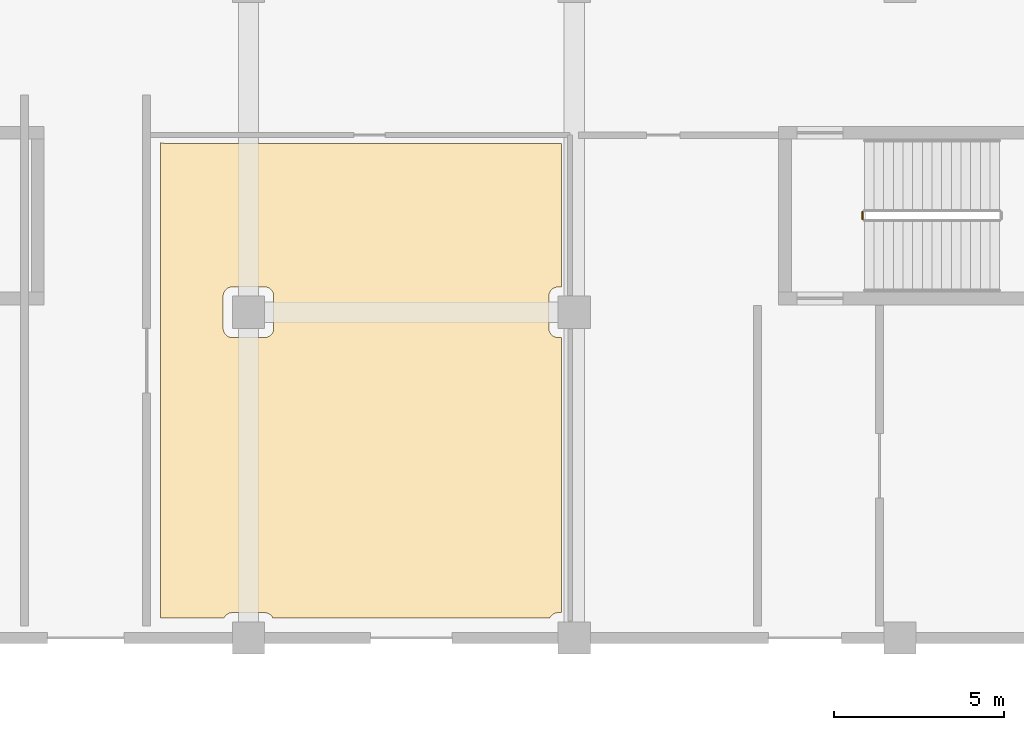
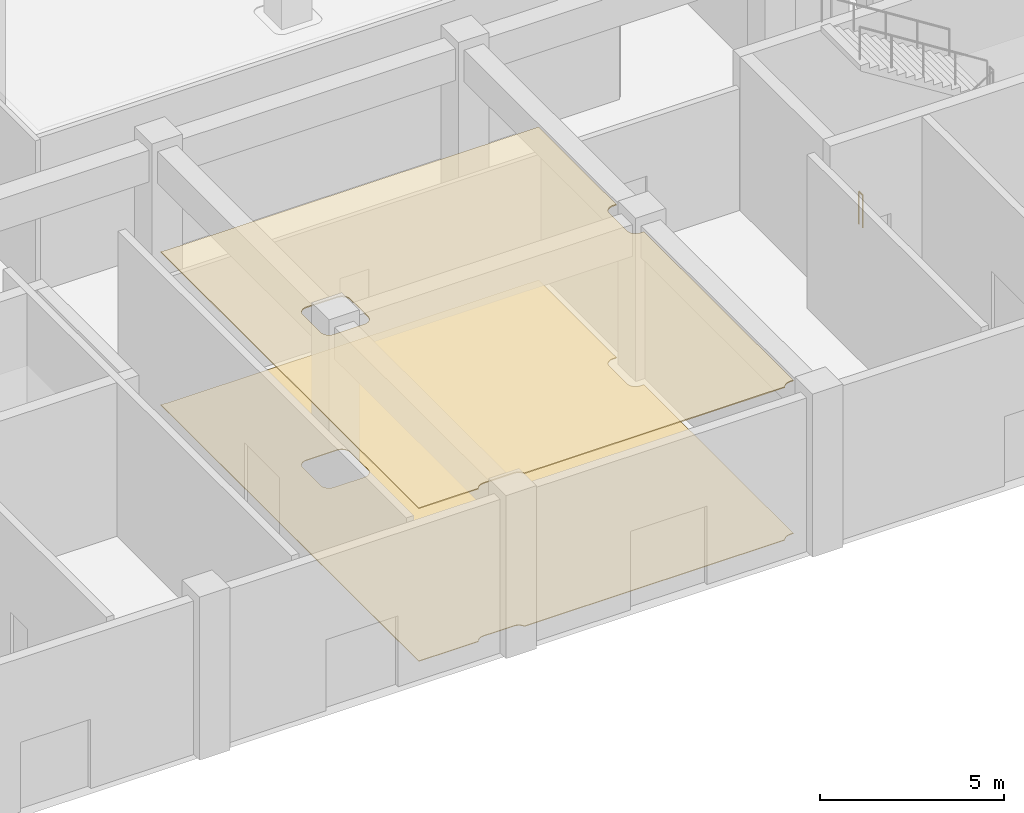
# One storey, part 46 of 74: 2 coverings, 1 railing.
"""IFC4 building model written with IfcOpenShell, lengths in metres."""

from ifc_helpers import new_model, si_unit, direction, frame, origin, origin_2d, place, context, subcontext, project, spatial, polyline, circle, outline, extrude, material, layer, layer_set, type_object, element, save


model = new_model("IFC4")

# Units and contexts
model_context = context("Model", 3, precision=1e-05, world=origin(), true_north=direction((0.0, 1.0)))
body_context = subcontext(model_context, "Body", "Model", "MODEL_VIEW")
ifc_project = project(units=[si_unit("LENGTHUNIT", "METRE"), si_unit("AREAUNIT", "SQUARE_METRE"), si_unit("VOLUMEUNIT", "CUBIC_METRE"), si_unit("PLANEANGLEUNIT", "RADIAN"), si_unit("MASSUNIT", "GRAM", prefix="KILO")], contexts=[model_context])

# Site, building, storey
site_placement = place(None, origin())
site = spatial("IfcSite", under=ifc_project, at=site_placement, CompositionType="ELEMENT")
building_placement = place(site_placement, origin())
building = spatial("IfcBuilding", under=site, at=building_placement, Name="Cendralis Terraced Arcade", CompositionType="ELEMENT")
storey_placement = place(building_placement, origin())
storey = spatial("IfcBuildingStorey", under=building, at=storey_placement, Name="L00", CompositionType="ELEMENT", Elevation=0.0)

# Coverings
ifc_material_1 = material(Name="Warm Andean oak timber", Category="wood")
ifc_layer_1 = layer(ifc_material_1, 0.034912109375, Name="COV-CEIL-OAK-35")
ifc_layer_set_1 = layer_set([ifc_layer_1], Name="Warm Andean oak timber")
covering_type_1 = type_object("IfcCoveringType", Name="COV-CEIL-OAK-35", PredefinedType="CEILING", material=ifc_layer_set_1)
covering_1_placement = place(storey_placement, frame((0.0, 0.0, 5.054931640625)))
element("IfcCovering", 1, at=covering_1_placement, inside=storey, type_object=covering_type_1, Name="Acoustic Soffit Ceiling L00-025", PredefinedType="CEILING", context=body_context, shape_type="SweptSolid", body=[
    extrude(outline(polyline([(26.219970703125, 14.5966796875), (26.22607421875, 14.59521484375), (26.231689453125, 14.593994140625), (26.23779296875, 14.592529296875), (26.249267578125, 14.59033203125), (26.25537109375, 14.589111328125), (26.260986328125, 14.588134765625), (26.26708984375, 14.587158203125), (26.327392578125, 14.578369140625), (26.33349609375, 14.577392578125), (26.33935546875, 14.57666015625), (26.345458984375, 14.576171875), (26.357177734375, 14.574951171875), (26.36328125, 14.574462890625), (26.369140625, 14.573974609375), (26.375244140625, 14.573486328125), (26.43603515625, 14.570556640625), (26.43896484375, 14.570556640625), (26.44189453125, 14.5703125), (26.445068359375, 14.5703125), (26.450927734375, 14.570068359375), (26.4541015625, 14.570068359375), (26.456787109375, 14.570068359375), (26.4599609375, 14.570068359375), (38.030029296875, 14.570068359375), (38.030029296875, 10.344970703125), (37.925048828125, 10.344970703125), (37.91259765625, 10.3447265625), (37.910888671875, 10.344482421875), (37.886474609375, 10.34228515625), (37.884521484375, 10.341796875), (37.8603515625, 10.337158203125), (37.8583984375, 10.336669921875), (37.8349609375, 10.32958984375), (37.8330078125, 10.328857421875), (37.810546875, 10.319580078125), (37.80859375, 10.318603515625), (37.787109375, 10.30712890625), (37.785400390625, 10.30615234375), (37.764892578125, 10.29248046875), (37.763427734375, 10.291259765625), (37.744384765625, 10.275634765625), (37.742919921875, 10.2744140625), (37.7255859375, 10.257080078125), (37.724365234375, 10.255615234375), (37.708740234375, 10.236572265625), (37.70751953125, 10.235107421875), (37.69384765625, 10.214599609375), (37.69287109375, 10.212890625), (37.681396484375, 10.19140625), (37.680419921875, 10.189453125), (37.671142578125, 10.1669921875), (37.67041015625, 10.1650390625), (37.663330078125, 10.1416015625), (37.662841796875, 10.1396484375), (37.658203125, 10.115478515625), (37.65771484375, 10.113525390625), (37.655517578125, 10.089111328125), (37.6552734375, 10.08740234375), (37.655029296875, 10.074951171875), (37.655029296875, 9.125), (37.6552734375, 9.11279296875), (37.655517578125, 9.11083984375), (37.65771484375, 9.08642578125), (37.658203125, 9.08447265625), (37.662841796875, 9.060302734375), (37.663330078125, 9.058349609375), (37.67041015625, 9.034912109375), (37.671142578125, 9.033203125), (37.680419921875, 9.010498046875), (37.681396484375, 9.0087890625), (37.69287109375, 8.987060546875), (37.69384765625, 8.9853515625), (37.70751953125, 8.965087890625), (37.708740234375, 8.96337890625), (37.724365234375, 8.9443359375), (37.7255859375, 8.943115234375), (37.742919921875, 8.925537109375), (37.744384765625, 8.92431640625), (37.763427734375, 8.90869140625), (37.764892578125, 8.90771484375), (37.785400390625, 8.893798828125), (37.787109375, 8.892822265625), (37.80859375, 8.88134765625), (37.810546875, 8.880615234375), (37.8330078125, 8.87109375), (37.8349609375, 8.87060546875), (37.8583984375, 8.86328125), (37.8603515625, 8.86279296875), (37.884521484375, 8.858154296875), (37.886474609375, 8.85791015625), (37.910888671875, 8.85546875), (37.91259765625, 8.855224609375), (37.925048828125, 8.85498046875), (38.030029296875, 8.85498046875), (38.030029296875, 0.7451171875), (37.925048828125, 0.7451171875), (37.91259765625, 0.74462890625), (37.910888671875, 0.74462890625), (37.886474609375, 0.7421875), (37.884521484375, 0.741943359375), (37.8603515625, 0.737060546875), (37.8583984375, 0.736572265625), (37.8349609375, 0.7294921875), (37.8330078125, 0.72900390625), (37.810546875, 0.719482421875), (37.80859375, 0.718505859375), (37.787109375, 0.70703125), (37.785400390625, 0.7060546875), (37.764892578125, 0.6923828125), (37.763427734375, 0.69140625), (37.744384765625, 0.67578125), (37.742919921875, 0.67431640625), (37.7255859375, 0.656982421875), (37.724365234375, 0.655517578125), (37.708740234375, 0.63671875), (37.70751953125, 0.635009765625), (37.69384765625, 0.614501953125), (37.69287109375, 0.613037109375), (37.681396484375, 0.59130859375), (37.6806640625, 0.590087890625), (29.519287109375, 0.590087890625), (29.5185546875, 0.59130859375), (29.507080078125, 0.613037109375), (29.506103515625, 0.614501953125), (29.492431640625, 0.635009765625), (29.4912109375, 0.63671875), (29.4755859375, 0.655517578125), (29.474365234375, 0.656982421875), (29.45703125, 0.67431640625), (29.45556640625, 0.67578125), (29.4365234375, 0.69140625), (29.43505859375, 0.6923828125), (29.41455078125, 0.7060546875), (29.4130859375, 0.70703125), (29.391357421875, 0.718505859375), (29.389404296875, 0.719482421875), (29.366943359375, 0.72900390625), (29.364990234375, 0.7294921875), (29.341552734375, 0.736572265625), (29.339599609375, 0.737060546875), (29.315673828125, 0.741943359375), (29.313720703125, 0.7421875), (29.289306640625, 0.74462890625), (29.287353515625, 0.74462890625), (29.27490234375, 0.7451171875), (28.324951171875, 0.7451171875), (28.312744140625, 0.74462890625), (28.310791015625, 0.74462890625), (28.286376953125, 0.7421875), (28.284423828125, 0.741943359375), (28.260498046875, 0.737060546875), (28.25830078125, 0.736572265625), (28.235107421875, 0.7294921875), (28.233154296875, 0.72900390625), (28.21044921875, 0.719482421875), (28.208740234375, 0.718505859375), (28.18701171875, 0.70703125), (28.185302734375, 0.7060546875), (28.1650390625, 0.6923828125), (28.163330078125, 0.69140625), (28.144287109375, 0.67578125), (28.14306640625, 0.67431640625), (28.12548828125, 0.656982421875), (28.124267578125, 0.655517578125), (28.108642578125, 0.63671875), (28.107666015625, 0.635009765625), (28.093994140625, 0.614501953125), (28.093017578125, 0.613037109375), (28.081298828125, 0.59130859375), (28.080810546875, 0.590087890625), (26.2099609375, 0.590087890625), (26.2099609375, 14.59912109375), (26.219970703125, 14.5966796875)]), holes=[polyline([(28.208740234375, 8.88134765625), (28.21044921875, 8.880615234375), (28.233154296875, 8.87109375), (28.235107421875, 8.87060546875), (28.25830078125, 8.86328125), (28.260498046875, 8.86279296875), (28.284423828125, 8.858154296875), (28.286376953125, 8.85791015625), (28.310791015625, 8.85546875), (28.312744140625, 8.855224609375), (28.324951171875, 8.85498046875), (29.27490234375, 8.85498046875), (29.287353515625, 8.855224609375), (29.289306640625, 8.85546875), (29.313720703125, 8.85791015625), (29.315673828125, 8.858154296875), (29.339599609375, 8.86279296875), (29.341552734375, 8.86328125), (29.364990234375, 8.87060546875), (29.366943359375, 8.87109375), (29.389404296875, 8.880615234375), (29.391357421875, 8.88134765625), (29.4130859375, 8.892822265625), (29.41455078125, 8.893798828125), (29.43505859375, 8.90771484375), (29.4365234375, 8.90869140625), (29.45556640625, 8.92431640625), (29.45703125, 8.925537109375), (29.474365234375, 8.943115234375), (29.4755859375, 8.9443359375), (29.4912109375, 8.96337890625), (29.492431640625, 8.965087890625), (29.506103515625, 8.9853515625), (29.507080078125, 8.987060546875), (29.5185546875, 9.0087890625), (29.51953125, 9.010498046875), (29.52880859375, 9.033203125), (29.529541015625, 9.034912109375), (29.53662109375, 9.058349609375), (29.537109375, 9.060302734375), (29.5419921875, 9.08447265625), (29.542236328125, 9.08642578125), (29.544677734375, 9.11083984375), (29.544677734375, 9.11279296875), (29.544921875, 9.125), (29.544921875, 10.074951171875), (29.544677734375, 10.08740234375), (29.544677734375, 10.089111328125), (29.542236328125, 10.113525390625), (29.5419921875, 10.115478515625), (29.537109375, 10.1396484375), (29.53662109375, 10.1416015625), (29.529541015625, 10.1650390625), (29.52880859375, 10.1669921875), (29.51953125, 10.189453125), (29.5185546875, 10.19140625), (29.507080078125, 10.212890625), (29.506103515625, 10.214599609375), (29.492431640625, 10.235107421875), (29.4912109375, 10.236572265625), (29.4755859375, 10.255615234375), (29.474365234375, 10.257080078125), (29.45703125, 10.2744140625), (29.45556640625, 10.275634765625), (29.4365234375, 10.291259765625), (29.43505859375, 10.29248046875), (29.41455078125, 10.30615234375), (29.4130859375, 10.30712890625), (29.391357421875, 10.318603515625), (29.389404296875, 10.319580078125), (29.366943359375, 10.328857421875), (29.364990234375, 10.32958984375), (29.341552734375, 10.336669921875), (29.339599609375, 10.337158203125), (29.315673828125, 10.341796875), (29.313720703125, 10.34228515625), (29.289306640625, 10.344482421875), (29.287353515625, 10.3447265625), (29.27490234375, 10.344970703125), (28.324951171875, 10.344970703125), (28.312744140625, 10.3447265625), (28.310791015625, 10.344482421875), (28.286376953125, 10.34228515625), (28.284423828125, 10.341796875), (28.260498046875, 10.337158203125), (28.25830078125, 10.336669921875), (28.235107421875, 10.32958984375), (28.233154296875, 10.328857421875), (28.21044921875, 10.319580078125), (28.208740234375, 10.318603515625), (28.18701171875, 10.30712890625), (28.185302734375, 10.30615234375), (28.1650390625, 10.29248046875), (28.163330078125, 10.291259765625), (28.144287109375, 10.275634765625), (28.14306640625, 10.2744140625), (28.12548828125, 10.257080078125), (28.124267578125, 10.255615234375), (28.108642578125, 10.236572265625), (28.107666015625, 10.235107421875), (28.093994140625, 10.214599609375), (28.093017578125, 10.212890625), (28.081298828125, 10.19140625), (28.08056640625, 10.189453125), (28.071044921875, 10.1669921875), (28.070556640625, 10.1650390625), (28.0634765625, 10.1416015625), (28.06298828125, 10.1396484375), (28.05810546875, 10.115478515625), (28.057861328125, 10.113525390625), (28.055419921875, 10.089111328125), (28.055419921875, 10.08740234375), (28.054931640625, 10.074951171875), (28.054931640625, 9.125), (28.055419921875, 9.11279296875), (28.055419921875, 9.11083984375), (28.057861328125, 9.08642578125), (28.05810546875, 9.08447265625), (28.06298828125, 9.060302734375), (28.0634765625, 9.058349609375), (28.070556640625, 9.034912109375), (28.071044921875, 9.033203125), (28.08056640625, 9.010498046875), (28.081298828125, 9.0087890625), (28.093017578125, 8.987060546875), (28.093994140625, 8.9853515625), (28.107666015625, 8.965087890625), (28.108642578125, 8.96337890625), (28.124267578125, 8.9443359375), (28.12548828125, 8.943115234375), (28.14306640625, 8.925537109375), (28.144287109375, 8.92431640625), (28.163330078125, 8.90869140625), (28.1650390625, 8.90771484375), (28.185302734375, 8.893798828125), (28.18701171875, 8.892822265625), (28.208740234375, 8.88134765625)])]), origin(), (0.0, 0.0, 1.0), 0.03515625),
])
ifc_layer_2 = layer(ifc_material_1, 0.02197265625, Name="COV-FLR-OAK-22")
ifc_layer_set_2 = layer_set([ifc_layer_2], Name="Warm Andean oak timber")
covering_type_2 = type_object("IfcCoveringType", Name="COV-FLR-OAK-22", PredefinedType="FLOORING", material=ifc_layer_set_2)
covering_2_placement = place(storey_placement, origin())
element("IfcCovering", 2, at=covering_2_placement, inside=storey, type_object=covering_type_2, Name="Interior Finish Flooring L00-025", PredefinedType="FLOORING", context=body_context, shape_type="SweptSolid", body=[
    extrude(outline(polyline([(26.219970703125, 14.5966796875), (26.22607421875, 14.59521484375), (26.231689453125, 14.593994140625), (26.23779296875, 14.592529296875), (26.249267578125, 14.59033203125), (26.25537109375, 14.589111328125), (26.260986328125, 14.588134765625), (26.26708984375, 14.587158203125), (26.327392578125, 14.578369140625), (26.33349609375, 14.577392578125), (26.33935546875, 14.57666015625), (26.345458984375, 14.576171875), (26.357177734375, 14.574951171875), (26.36328125, 14.574462890625), (26.369140625, 14.573974609375), (26.375244140625, 14.573486328125), (26.43603515625, 14.570556640625), (26.43896484375, 14.570556640625), (26.44189453125, 14.5703125), (26.445068359375, 14.5703125), (26.450927734375, 14.570068359375), (26.4541015625, 14.570068359375), (26.456787109375, 14.570068359375), (26.4599609375, 14.570068359375), (38.030029296875, 14.570068359375), (38.030029296875, 10.344970703125), (37.925048828125, 10.344970703125), (37.91259765625, 10.3447265625), (37.910888671875, 10.344482421875), (37.886474609375, 10.34228515625), (37.884521484375, 10.341796875), (37.8603515625, 10.337158203125), (37.8583984375, 10.336669921875), (37.8349609375, 10.32958984375), (37.8330078125, 10.328857421875), (37.810546875, 10.319580078125), (37.80859375, 10.318603515625), (37.787109375, 10.30712890625), (37.785400390625, 10.30615234375), (37.764892578125, 10.29248046875), (37.763427734375, 10.291259765625), (37.744384765625, 10.275634765625), (37.742919921875, 10.2744140625), (37.7255859375, 10.257080078125), (37.724365234375, 10.255615234375), (37.708740234375, 10.236572265625), (37.70751953125, 10.235107421875), (37.69384765625, 10.214599609375), (37.69287109375, 10.212890625), (37.681396484375, 10.19140625), (37.680419921875, 10.189453125), (37.671142578125, 10.1669921875), (37.67041015625, 10.1650390625), (37.663330078125, 10.1416015625), (37.662841796875, 10.1396484375), (37.658203125, 10.115478515625), (37.65771484375, 10.113525390625), (37.655517578125, 10.089111328125), (37.6552734375, 10.08740234375), (37.655029296875, 10.074951171875), (37.655029296875, 9.125), (37.6552734375, 9.11279296875), (37.655517578125, 9.11083984375), (37.65771484375, 9.08642578125), (37.658203125, 9.08447265625), (37.662841796875, 9.060302734375), (37.663330078125, 9.058349609375), (37.67041015625, 9.034912109375), (37.671142578125, 9.033203125), (37.680419921875, 9.010498046875), (37.681396484375, 9.0087890625), (37.69287109375, 8.987060546875), (37.69384765625, 8.9853515625), (37.70751953125, 8.965087890625), (37.708740234375, 8.96337890625), (37.724365234375, 8.9443359375), (37.7255859375, 8.943115234375), (37.742919921875, 8.925537109375), (37.744384765625, 8.92431640625), (37.763427734375, 8.90869140625), (37.764892578125, 8.90771484375), (37.785400390625, 8.893798828125), (37.787109375, 8.892822265625), (37.80859375, 8.88134765625), (37.810546875, 8.880615234375), (37.8330078125, 8.87109375), (37.8349609375, 8.87060546875), (37.8583984375, 8.86328125), (37.8603515625, 8.86279296875), (37.884521484375, 8.858154296875), (37.886474609375, 8.85791015625), (37.910888671875, 8.85546875), (37.91259765625, 8.855224609375), (37.925048828125, 8.85498046875), (38.030029296875, 8.85498046875), (38.030029296875, 0.7451171875), (37.925048828125, 0.7451171875), (37.91259765625, 0.74462890625), (37.910888671875, 0.74462890625), (37.886474609375, 0.7421875), (37.884521484375, 0.741943359375), (37.8603515625, 0.737060546875), (37.8583984375, 0.736572265625), (37.8349609375, 0.7294921875), (37.8330078125, 0.72900390625), (37.810546875, 0.719482421875), (37.80859375, 0.718505859375), (37.787109375, 0.70703125), (37.785400390625, 0.7060546875), (37.764892578125, 0.6923828125), (37.763427734375, 0.69140625), (37.744384765625, 0.67578125), (37.742919921875, 0.67431640625), (37.7255859375, 0.656982421875), (37.724365234375, 0.655517578125), (37.708740234375, 0.63671875), (37.70751953125, 0.635009765625), (37.69384765625, 0.614501953125), (37.69287109375, 0.613037109375), (37.681396484375, 0.59130859375), (37.6806640625, 0.590087890625), (29.519287109375, 0.590087890625), (29.5185546875, 0.59130859375), (29.507080078125, 0.613037109375), (29.506103515625, 0.614501953125), (29.492431640625, 0.635009765625), (29.4912109375, 0.63671875), (29.4755859375, 0.655517578125), (29.474365234375, 0.656982421875), (29.45703125, 0.67431640625), (29.45556640625, 0.67578125), (29.4365234375, 0.69140625), (29.43505859375, 0.6923828125), (29.41455078125, 0.7060546875), (29.4130859375, 0.70703125), (29.391357421875, 0.718505859375), (29.389404296875, 0.719482421875), (29.366943359375, 0.72900390625), (29.364990234375, 0.7294921875), (29.341552734375, 0.736572265625), (29.339599609375, 0.737060546875), (29.315673828125, 0.741943359375), (29.313720703125, 0.7421875), (29.289306640625, 0.74462890625), (29.287353515625, 0.74462890625), (29.27490234375, 0.7451171875), (28.324951171875, 0.7451171875), (28.312744140625, 0.74462890625), (28.310791015625, 0.74462890625), (28.286376953125, 0.7421875), (28.284423828125, 0.741943359375), (28.260498046875, 0.737060546875), (28.25830078125, 0.736572265625), (28.235107421875, 0.7294921875), (28.233154296875, 0.72900390625), (28.21044921875, 0.719482421875), (28.208740234375, 0.718505859375), (28.18701171875, 0.70703125), (28.185302734375, 0.7060546875), (28.1650390625, 0.6923828125), (28.163330078125, 0.69140625), (28.144287109375, 0.67578125), (28.14306640625, 0.67431640625), (28.12548828125, 0.656982421875), (28.124267578125, 0.655517578125), (28.108642578125, 0.63671875), (28.107666015625, 0.635009765625), (28.093994140625, 0.614501953125), (28.093017578125, 0.613037109375), (28.081298828125, 0.59130859375), (28.080810546875, 0.590087890625), (26.2099609375, 0.590087890625), (26.2099609375, 14.59912109375), (26.219970703125, 14.5966796875)]), holes=[polyline([(28.208740234375, 8.88134765625), (28.21044921875, 8.880615234375), (28.233154296875, 8.87109375), (28.235107421875, 8.87060546875), (28.25830078125, 8.86328125), (28.260498046875, 8.86279296875), (28.284423828125, 8.858154296875), (28.286376953125, 8.85791015625), (28.310791015625, 8.85546875), (28.312744140625, 8.855224609375), (28.324951171875, 8.85498046875), (29.27490234375, 8.85498046875), (29.287353515625, 8.855224609375), (29.289306640625, 8.85546875), (29.313720703125, 8.85791015625), (29.315673828125, 8.858154296875), (29.339599609375, 8.86279296875), (29.341552734375, 8.86328125), (29.364990234375, 8.87060546875), (29.366943359375, 8.87109375), (29.389404296875, 8.880615234375), (29.391357421875, 8.88134765625), (29.4130859375, 8.892822265625), (29.41455078125, 8.893798828125), (29.43505859375, 8.90771484375), (29.4365234375, 8.90869140625), (29.45556640625, 8.92431640625), (29.45703125, 8.925537109375), (29.474365234375, 8.943115234375), (29.4755859375, 8.9443359375), (29.4912109375, 8.96337890625), (29.492431640625, 8.965087890625), (29.506103515625, 8.9853515625), (29.507080078125, 8.987060546875), (29.5185546875, 9.0087890625), (29.51953125, 9.010498046875), (29.52880859375, 9.033203125), (29.529541015625, 9.034912109375), (29.53662109375, 9.058349609375), (29.537109375, 9.060302734375), (29.5419921875, 9.08447265625), (29.542236328125, 9.08642578125), (29.544677734375, 9.11083984375), (29.544677734375, 9.11279296875), (29.544921875, 9.125), (29.544921875, 10.074951171875), (29.544677734375, 10.08740234375), (29.544677734375, 10.089111328125), (29.542236328125, 10.113525390625), (29.5419921875, 10.115478515625), (29.537109375, 10.1396484375), (29.53662109375, 10.1416015625), (29.529541015625, 10.1650390625), (29.52880859375, 10.1669921875), (29.51953125, 10.189453125), (29.5185546875, 10.19140625), (29.507080078125, 10.212890625), (29.506103515625, 10.214599609375), (29.492431640625, 10.235107421875), (29.4912109375, 10.236572265625), (29.4755859375, 10.255615234375), (29.474365234375, 10.257080078125), (29.45703125, 10.2744140625), (29.45556640625, 10.275634765625), (29.4365234375, 10.291259765625), (29.43505859375, 10.29248046875), (29.41455078125, 10.30615234375), (29.4130859375, 10.30712890625), (29.391357421875, 10.318603515625), (29.389404296875, 10.319580078125), (29.366943359375, 10.328857421875), (29.364990234375, 10.32958984375), (29.341552734375, 10.336669921875), (29.339599609375, 10.337158203125), (29.315673828125, 10.341796875), (29.313720703125, 10.34228515625), (29.289306640625, 10.344482421875), (29.287353515625, 10.3447265625), (29.27490234375, 10.344970703125), (28.324951171875, 10.344970703125), (28.312744140625, 10.3447265625), (28.310791015625, 10.344482421875), (28.286376953125, 10.34228515625), (28.284423828125, 10.341796875), (28.260498046875, 10.337158203125), (28.25830078125, 10.336669921875), (28.235107421875, 10.32958984375), (28.233154296875, 10.328857421875), (28.21044921875, 10.319580078125), (28.208740234375, 10.318603515625), (28.18701171875, 10.30712890625), (28.185302734375, 10.30615234375), (28.1650390625, 10.29248046875), (28.163330078125, 10.291259765625), (28.144287109375, 10.275634765625), (28.14306640625, 10.2744140625), (28.12548828125, 10.257080078125), (28.124267578125, 10.255615234375), (28.108642578125, 10.236572265625), (28.107666015625, 10.235107421875), (28.093994140625, 10.214599609375), (28.093017578125, 10.212890625), (28.081298828125, 10.19140625), (28.08056640625, 10.189453125), (28.071044921875, 10.1669921875), (28.070556640625, 10.1650390625), (28.0634765625, 10.1416015625), (28.06298828125, 10.1396484375), (28.05810546875, 10.115478515625), (28.057861328125, 10.113525390625), (28.055419921875, 10.089111328125), (28.055419921875, 10.08740234375), (28.054931640625, 10.074951171875), (28.054931640625, 9.125), (28.055419921875, 9.11279296875), (28.055419921875, 9.11083984375), (28.057861328125, 9.08642578125), (28.05810546875, 9.08447265625), (28.06298828125, 9.060302734375), (28.0634765625, 9.058349609375), (28.070556640625, 9.034912109375), (28.071044921875, 9.033203125), (28.08056640625, 9.010498046875), (28.081298828125, 9.0087890625), (28.093017578125, 8.987060546875), (28.093994140625, 8.9853515625), (28.107666015625, 8.965087890625), (28.108642578125, 8.96337890625), (28.124267578125, 8.9443359375), (28.12548828125, 8.943115234375), (28.14306640625, 8.925537109375), (28.144287109375, 8.92431640625), (28.163330078125, 8.90869140625), (28.1650390625, 8.90771484375), (28.185302734375, 8.893798828125), (28.18701171875, 8.892822265625), (28.208740234375, 8.88134765625)])]), origin(), (0.0, 0.0, 1.0), 0.02197265625),
])

# Railing
ifc_material_2 = material(Name="Brushed stainless steel AISI 316", Category="steel")
railing_type = type_object("IfcRailingType", Name="RL-STAIR-GUARD-1100", PredefinedType="GUARDRAIL", material=ifc_material_2)
railing_placement = place(storey_placement, frame((46.89990234375, 12.35009765625, 0.0)))
element("IfcRailing", 3, at=railing_placement, inside=storey, type_object=railing_type, Name="L00 ST-03 stair guard 4", PredefinedType="GUARDRAIL", context=body_context, shape_type="SweptSolid", body=[
    extrude(circle(Radius=0.02392578125, at=origin_2d()), frame((0.0, 0.0, 1.076171875), z_axis=(0.0, 1.0, 0.0), x_axis=(-1.0, 0.0, 0.0)), (0.0, 0.0, 1.0), 0.199951171875),
    extrude(circle(Radius=0.02099609375, at=origin_2d()), origin(), (0.0, 0.0, 1.0), 1.052001953125),
    extrude(circle(Radius=0.02099609375, at=origin_2d()), frame((0.0, 0.199951171875, 0.0)), (0.0, 0.0, 1.0), 1.052001953125),
])

save(model, "model.ifc")
